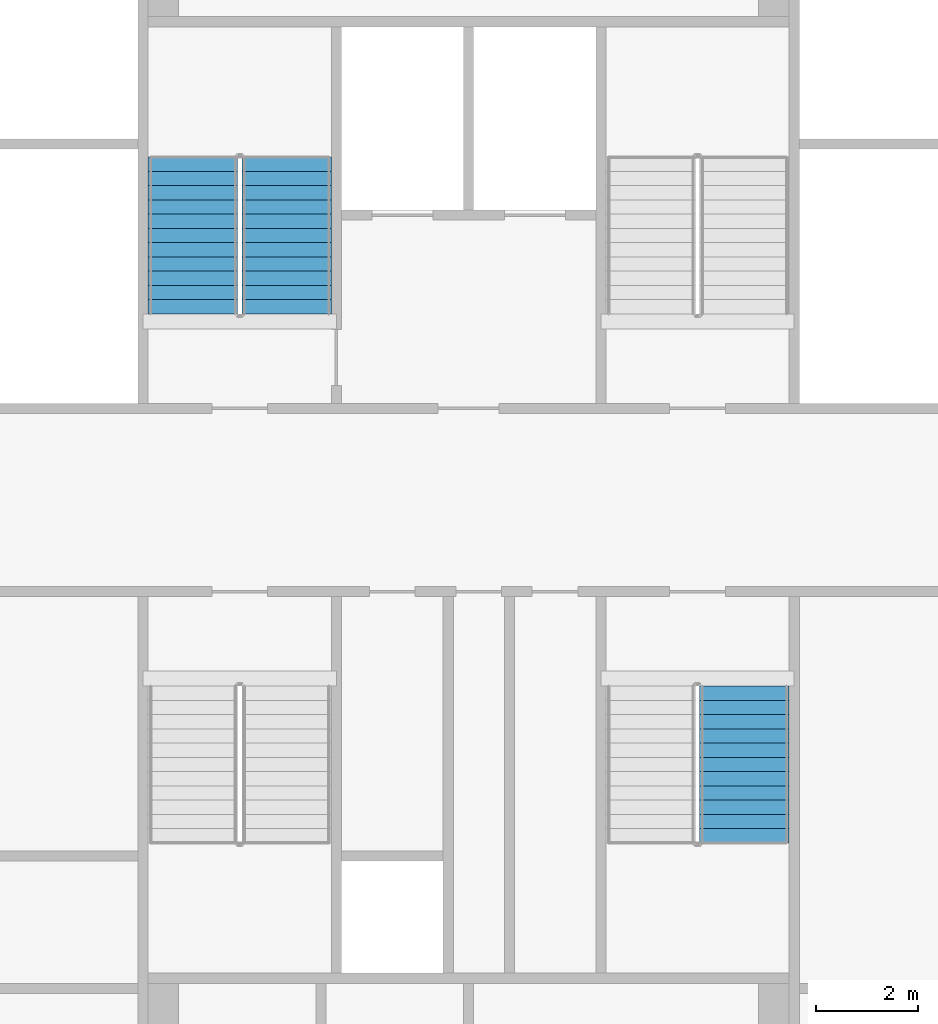
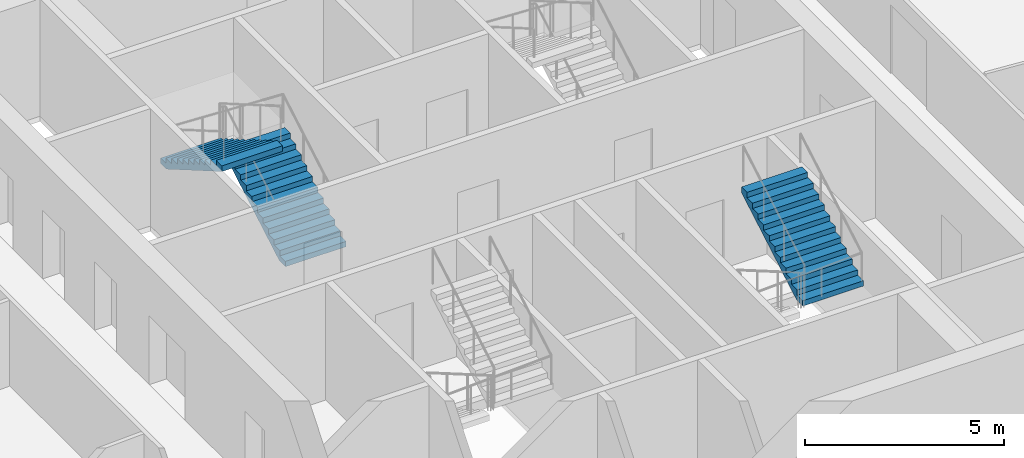
# One storey, part 9 of 11: 3 stair flights, 2 elements without a shape of their own.
"""IFC4 building model written with IfcOpenShell, lengths in metres."""

from ifc_helpers import new_model, si_unit, direction, frame, origin, place, context, subcontext, project, spatial, faceted_brep, material, type_object, element, aggregate, save


model = new_model("IFC4")

# Units and contexts
model_context = context("Model", 3, precision=1e-05, world=origin(), true_north=direction((0.0, 1.0)))
body_context = subcontext(model_context, "Body", "Model", "MODEL_VIEW")
ifc_project = project(units=[si_unit("LENGTHUNIT", "METRE"), si_unit("AREAUNIT", "SQUARE_METRE"), si_unit("VOLUMEUNIT", "CUBIC_METRE"), si_unit("PLANEANGLEUNIT", "RADIAN"), si_unit("MASSUNIT", "GRAM", prefix="KILO")], contexts=[model_context])

# Site, building, storey
site_placement = place(None, origin())
site = spatial("IfcSite", under=ifc_project, at=site_placement, CompositionType="ELEMENT")
building_placement = place(site_placement, origin())
building = spatial("IfcBuilding", under=site, at=building_placement, Name="Tarsis Ring Headquarters", CompositionType="ELEMENT")
storey_placement = place(building_placement, frame((0.0, 0.0, 298.10009765625)))
storey = spatial("IfcBuildingStorey", under=building, at=storey_placement, Name="L70", CompositionType="ELEMENT", Elevation=298.10009765625)

# Stair, stair flights
ifc_material_1 = material(Name="Core stair 1760")
stair_type = type_object("IfcStairType", Name="Core stair 1760", PredefinedType="HALF_TURN_STAIR", material=ifc_material_1)
stair_1_placement = place(storey_placement, origin())
stair_1 = element("IfcStair", 1, at=stair_1_placement, inside=storey, type_object=stair_type, Name="L70 Firefighting stair", PredefinedType="HALF_TURN_STAIR")
ifc_material_2 = material(Name="Concrete C40/50", Category="concrete")
stair_flight_type = type_object("IfcStairFlightType", Name="Core stair flight 1760", PredefinedType="STRAIGHT", material=ifc_material_2)
stair_flight_1_placement = place(storey_placement, frame((-3.580078125, 3.659912109375, 0.0), z_axis=(0.0, 0.0, 1.0), x_axis=(0.0, 1.0, 0.0)))
stair_flight_1 = element("IfcStairFlight", 2, at=stair_flight_1_placement, type_object=stair_flight_type, Name="Stair ST1 flight 1", NumberOfRisers=12, NumberOfTreads=11, PredefinedType="STRAIGHT", RiserHeight=0.1625, TreadLength=0.28, context=body_context, shape_type="Brep", body=[
    faceted_brep([(0.0, 0.8798828125, 0.0), (0.0, 0.8798828125, 0.16259765625), (0.280029296875, 0.8798828125, 0.16259765625), (0.280029296875, 0.8798828125, 0.324951171875), (0.56005859375, 0.8798828125, 0.324951171875), (0.56005859375, 0.8798828125, 0.487548828125), (0.840087890625, 0.8798828125, 0.487548828125), (0.840087890625, 0.8798828125, 0.64990234375), (1.1201171875, 0.8798828125, 0.64990234375), (1.1201171875, 0.8798828125, 0.8125), (1.39990234375, 0.8798828125, 0.8125), (1.39990234375, 0.8798828125, 0.97509765625), (1.679931640625, 0.8798828125, 0.97509765625), (1.679931640625, 0.8798828125, 1.137451171875), (1.9599609375, 0.8798828125, 1.137451171875), (1.9599609375, 0.8798828125, 1.300048828125), (2.239990234375, 0.8798828125, 1.300048828125), (2.239990234375, 0.8798828125, 1.46240234375), (2.52001953125, 0.8798828125, 1.46240234375), (2.52001953125, 0.8798828125, 1.625), (2.800048828125, 0.8798828125, 1.625), (2.800048828125, 0.8798828125, 1.78759765625), (3.080078125, 0.8798828125, 1.78759765625), (3.080078125, 0.8798828125, 1.6142578125), (0.298583984375, 0.8798828125, 0.0), (0.298583984375, -0.8798828125, 0.0), (3.080078125, -0.8798828125, 1.6142578125), (3.080078125, -0.8798828125, 1.78759765625), (2.800048828125, -0.8798828125, 1.78759765625), (2.800048828125, -0.8798828125, 1.625), (2.52001953125, -0.8798828125, 1.625), (2.52001953125, -0.8798828125, 1.46240234375), (2.239990234375, -0.8798828125, 1.46240234375), (2.239990234375, -0.8798828125, 1.300048828125), (1.9599609375, -0.8798828125, 1.300048828125), (1.9599609375, -0.8798828125, 1.137451171875), (1.679931640625, -0.8798828125, 1.137451171875), (1.679931640625, -0.8798828125, 0.97509765625), (1.39990234375, -0.8798828125, 0.97509765625), (1.39990234375, -0.8798828125, 0.8125), (1.1201171875, -0.8798828125, 0.8125), (1.1201171875, -0.8798828125, 0.64990234375), (0.840087890625, -0.8798828125, 0.64990234375), (0.840087890625, -0.8798828125, 0.487548828125), (0.56005859375, -0.8798828125, 0.487548828125), (0.56005859375, -0.8798828125, 0.324951171875), (0.280029296875, -0.8798828125, 0.324951171875), (0.280029296875, -0.8798828125, 0.16259765625), (0.0, -0.8798828125, 0.16259765625), (0.0, -0.8798828125, 0.0), (0.0, -0.43994140625, 0.16259765625), (0.0, -0.43994140625, 0.0), (0.0, 0.0, 0.16259765625), (0.0, 0.0, 0.0), (0.0, 0.43994140625, 0.16259765625), (0.0, 0.43994140625, 0.0), (0.280029296875, -0.43994140625, 0.16259765625), (0.280029296875, 0.0, 0.16259765625), (0.280029296875, 0.43994140625, 0.16259765625), (0.280029296875, -0.43994140625, 0.324951171875), (0.280029296875, 0.0, 0.324951171875), (0.280029296875, 0.43994140625, 0.324951171875), (0.56005859375, -0.43994140625, 0.324951171875), (0.56005859375, 0.0, 0.324951171875), (0.56005859375, 0.43994140625, 0.324951171875), (0.56005859375, -0.43994140625, 0.487548828125), (0.56005859375, 0.0, 0.487548828125), (0.56005859375, 0.43994140625, 0.487548828125), (0.840087890625, -0.43994140625, 0.487548828125), (0.840087890625, 0.0, 0.487548828125), (0.840087890625, 0.43994140625, 0.487548828125), (0.840087890625, -0.43994140625, 0.64990234375), (0.840087890625, 0.0, 0.64990234375), (0.840087890625, 0.43994140625, 0.64990234375), (1.1201171875, -0.43994140625, 0.64990234375), (1.1201171875, 0.0, 0.64990234375), (1.1201171875, 0.43994140625, 0.64990234375), (1.1201171875, -0.43994140625, 0.8125), (1.1201171875, 0.0, 0.8125), (1.1201171875, 0.43994140625, 0.8125), (1.39990234375, -0.43994140625, 0.8125), (1.39990234375, 0.0, 0.8125), (1.39990234375, 0.43994140625, 0.8125), (1.39990234375, -0.43994140625, 0.97509765625), (1.39990234375, 0.0, 0.97509765625), (1.39990234375, 0.43994140625, 0.97509765625), (1.679931640625, -0.43994140625, 0.97509765625), (1.679931640625, 0.0, 0.97509765625), (1.679931640625, 0.43994140625, 0.97509765625), (1.679931640625, -0.43994140625, 1.137451171875), (1.679931640625, 0.0, 1.137451171875), (1.679931640625, 0.43994140625, 1.137451171875), (1.9599609375, -0.43994140625, 1.137451171875), (1.9599609375, 0.0, 1.137451171875), (1.9599609375, 0.43994140625, 1.137451171875), (1.9599609375, -0.43994140625, 1.300048828125), (1.9599609375, 0.0, 1.300048828125), (1.9599609375, 0.43994140625, 1.300048828125), (2.239990234375, -0.43994140625, 1.300048828125), (2.239990234375, 0.0, 1.300048828125), (2.239990234375, 0.43994140625, 1.300048828125), (2.239990234375, -0.43994140625, 1.46240234375), (2.239990234375, 0.0, 1.46240234375), (2.239990234375, 0.43994140625, 1.46240234375), (2.52001953125, -0.43994140625, 1.46240234375), (2.52001953125, 0.0, 1.46240234375), (2.52001953125, 0.43994140625, 1.46240234375), (2.52001953125, -0.43994140625, 1.625), (2.52001953125, 0.0, 1.625), (2.52001953125, 0.43994140625, 1.625), (2.800048828125, -0.43994140625, 1.625), (2.800048828125, 0.0, 1.625), (2.800048828125, 0.43994140625, 1.625), (2.800048828125, -0.43994140625, 1.78759765625), (2.800048828125, 0.0, 1.78759765625), (2.800048828125, 0.43994140625, 1.78759765625), (3.080078125, -0.43994140625, 1.78759765625), (3.080078125, 0.0, 1.78759765625), (3.080078125, 0.43994140625, 1.78759765625), (3.080078125, -0.43994140625, 1.6142578125), (3.080078125, 0.0, 1.6142578125), (3.080078125, 0.43994140625, 1.6142578125), (0.298583984375, -0.43994140625, 0.0), (0.298583984375, 0.0, 0.0), (0.298583984375, 0.43994140625, 0.0)], [[[0, 1, 2, 3, 4, 5, 6, 7, 8, 9, 10, 11, 12, 13, 14, 15, 16, 17, 18, 19, 20, 21, 22, 23, 24]], [[25, 26, 27, 28, 29, 30, 31, 32, 33, 34, 35, 36, 37, 38, 39, 40, 41, 42, 43, 44, 45, 46, 47, 48, 49]], [[49, 48, 50, 51]], [[51, 50, 52, 53]], [[53, 52, 54, 55]], [[55, 54, 1, 0]], [[48, 47, 56, 50]], [[50, 56, 57, 52]], [[52, 57, 58, 54]], [[54, 58, 2, 1]], [[47, 46, 59, 56]], [[56, 59, 60, 57]], [[57, 60, 61, 58]], [[58, 61, 3, 2]], [[46, 45, 62, 59]], [[59, 62, 63, 60]], [[60, 63, 64, 61]], [[61, 64, 4, 3]], [[45, 44, 65, 62]], [[62, 65, 66, 63]], [[63, 66, 67, 64]], [[64, 67, 5, 4]], [[44, 43, 68, 65]], [[65, 68, 69, 66]], [[66, 69, 70, 67]], [[67, 70, 6, 5]], [[43, 42, 71, 68]], [[68, 71, 72, 69]], [[69, 72, 73, 70]], [[70, 73, 7, 6]], [[42, 41, 74, 71]], [[71, 74, 75, 72]], [[72, 75, 76, 73]], [[73, 76, 8, 7]], [[41, 40, 77, 74]], [[74, 77, 78, 75]], [[75, 78, 79, 76]], [[76, 79, 9, 8]], [[40, 39, 80, 77]], [[77, 80, 81, 78]], [[78, 81, 82, 79]], [[79, 82, 10, 9]], [[39, 38, 83, 80]], [[80, 83, 84, 81]], [[81, 84, 85, 82]], [[82, 85, 11, 10]], [[38, 37, 86, 83]], [[83, 86, 87, 84]], [[84, 87, 88, 85]], [[85, 88, 12, 11]], [[37, 36, 89, 86]], [[86, 89, 90, 87]], [[87, 90, 91, 88]], [[88, 91, 13, 12]], [[36, 35, 92, 89]], [[89, 92, 93, 90]], [[90, 93, 94, 91]], [[91, 94, 14, 13]], [[35, 34, 95, 92]], [[92, 95, 96, 93]], [[93, 96, 97, 94]], [[94, 97, 15, 14]], [[34, 33, 98, 95]], [[95, 98, 99, 96]], [[96, 99, 100, 97]], [[97, 100, 16, 15]], [[33, 32, 101, 98]], [[98, 101, 102, 99]], [[99, 102, 103, 100]], [[100, 103, 17, 16]], [[32, 31, 104, 101]], [[101, 104, 105, 102]], [[102, 105, 106, 103]], [[103, 106, 18, 17]], [[31, 30, 107, 104]], [[104, 107, 108, 105]], [[105, 108, 109, 106]], [[106, 109, 19, 18]], [[30, 29, 110, 107]], [[107, 110, 111, 108]], [[108, 111, 112, 109]], [[109, 112, 20, 19]], [[29, 28, 113, 110]], [[110, 113, 114, 111]], [[111, 114, 115, 112]], [[112, 115, 21, 20]], [[28, 27, 116, 113]], [[113, 116, 117, 114]], [[114, 117, 118, 115]], [[115, 118, 22, 21]], [[27, 26, 119, 116]], [[116, 119, 120, 117]], [[117, 120, 121, 118]], [[118, 121, 23, 22]], [[26, 25, 122, 119]], [[119, 122, 123, 120]], [[120, 123, 124, 121]], [[121, 124, 24, 23]], [[25, 49, 51, 122]], [[122, 51, 53, 123]], [[123, 53, 55, 124]], [[124, 55, 0, 24]]]),
])
stair_flight_2_placement = place(storey_placement, frame((-5.419921875, 6.739990234375, 1.949951171875), z_axis=(0.0, 0.0, 1.0), x_axis=(0.0, -1.0, 0.0)))
stair_flight_2 = element("IfcStairFlight", 3, at=stair_flight_2_placement, type_object=stair_flight_type, Name="Stair ST1 flight 2", NumberOfRisers=12, NumberOfTreads=11, PredefinedType="STRAIGHT", RiserHeight=0.1625, TreadLength=0.28, context=body_context, shape_type="Brep", body=[
    faceted_brep([(0.0, 0.8798828125, 0.0), (0.0, 0.8798828125, 0.16259765625), (0.280029296875, 0.8798828125, 0.16259765625), (0.280029296875, 0.8798828125, 0.324951171875), (0.56005859375, 0.8798828125, 0.324951171875), (0.56005859375, 0.8798828125, 0.487548828125), (0.840087890625, 0.8798828125, 0.487548828125), (0.840087890625, 0.8798828125, 0.64990234375), (1.1201171875, 0.8798828125, 0.64990234375), (1.1201171875, 0.8798828125, 0.8125), (1.39990234375, 0.8798828125, 0.8125), (1.39990234375, 0.8798828125, 0.97509765625), (1.679931640625, 0.8798828125, 0.97509765625), (1.679931640625, 0.8798828125, 1.137451171875), (1.9599609375, 0.8798828125, 1.137451171875), (1.9599609375, 0.8798828125, 1.300048828125), (2.239990234375, 0.8798828125, 1.300048828125), (2.239990234375, 0.8798828125, 1.46240234375), (2.52001953125, 0.8798828125, 1.46240234375), (2.52001953125, 0.8798828125, 1.625), (2.800048828125, 0.8798828125, 1.625), (2.800048828125, 0.8798828125, 1.78759765625), (3.080078125, 0.8798828125, 1.78759765625), (3.080078125, 0.8798828125, 1.6142578125), (0.298583984375, 0.8798828125, 0.0), (0.298583984375, -0.8798828125, 0.0), (3.080078125, -0.8798828125, 1.6142578125), (3.080078125, -0.8798828125, 1.78759765625), (2.800048828125, -0.8798828125, 1.78759765625), (2.800048828125, -0.8798828125, 1.625), (2.52001953125, -0.8798828125, 1.625), (2.52001953125, -0.8798828125, 1.46240234375), (2.239990234375, -0.8798828125, 1.46240234375), (2.239990234375, -0.8798828125, 1.300048828125), (1.9599609375, -0.8798828125, 1.300048828125), (1.9599609375, -0.8798828125, 1.137451171875), (1.679931640625, -0.8798828125, 1.137451171875), (1.679931640625, -0.8798828125, 0.97509765625), (1.39990234375, -0.8798828125, 0.97509765625), (1.39990234375, -0.8798828125, 0.8125), (1.1201171875, -0.8798828125, 0.8125), (1.1201171875, -0.8798828125, 0.64990234375), (0.840087890625, -0.8798828125, 0.64990234375), (0.840087890625, -0.8798828125, 0.487548828125), (0.56005859375, -0.8798828125, 0.487548828125), (0.56005859375, -0.8798828125, 0.324951171875), (0.280029296875, -0.8798828125, 0.324951171875), (0.280029296875, -0.8798828125, 0.16259765625), (0.0, -0.8798828125, 0.16259765625), (0.0, -0.8798828125, 0.0), (0.0, -0.43994140625, 0.16259765625), (0.0, -0.43994140625, 0.0), (0.0, 0.0, 0.16259765625), (0.0, 0.0, 0.0), (0.0, 0.43994140625, 0.16259765625), (0.0, 0.43994140625, 0.0), (0.280029296875, -0.43994140625, 0.16259765625), (0.280029296875, 0.0, 0.16259765625), (0.280029296875, 0.43994140625, 0.16259765625), (0.280029296875, -0.43994140625, 0.324951171875), (0.280029296875, 0.0, 0.324951171875), (0.280029296875, 0.43994140625, 0.324951171875), (0.56005859375, -0.43994140625, 0.324951171875), (0.56005859375, 0.0, 0.324951171875), (0.56005859375, 0.43994140625, 0.324951171875), (0.56005859375, -0.43994140625, 0.487548828125), (0.56005859375, 0.0, 0.487548828125), (0.56005859375, 0.43994140625, 0.487548828125), (0.840087890625, -0.43994140625, 0.487548828125), (0.840087890625, 0.0, 0.487548828125), (0.840087890625, 0.43994140625, 0.487548828125), (0.840087890625, -0.43994140625, 0.64990234375), (0.840087890625, 0.0, 0.64990234375), (0.840087890625, 0.43994140625, 0.64990234375), (1.1201171875, -0.43994140625, 0.64990234375), (1.1201171875, 0.0, 0.64990234375), (1.1201171875, 0.43994140625, 0.64990234375), (1.1201171875, -0.43994140625, 0.8125), (1.1201171875, 0.0, 0.8125), (1.1201171875, 0.43994140625, 0.8125), (1.39990234375, -0.43994140625, 0.8125), (1.39990234375, 0.0, 0.8125), (1.39990234375, 0.43994140625, 0.8125), (1.39990234375, -0.43994140625, 0.97509765625), (1.39990234375, 0.0, 0.97509765625), (1.39990234375, 0.43994140625, 0.97509765625), (1.679931640625, -0.43994140625, 0.97509765625), (1.679931640625, 0.0, 0.97509765625), (1.679931640625, 0.43994140625, 0.97509765625), (1.679931640625, -0.43994140625, 1.137451171875), (1.679931640625, 0.0, 1.137451171875), (1.679931640625, 0.43994140625, 1.137451171875), (1.9599609375, -0.43994140625, 1.137451171875), (1.9599609375, 0.0, 1.137451171875), (1.9599609375, 0.43994140625, 1.137451171875), (1.9599609375, -0.43994140625, 1.300048828125), (1.9599609375, 0.0, 1.300048828125), (1.9599609375, 0.43994140625, 1.300048828125), (2.239990234375, -0.43994140625, 1.300048828125), (2.239990234375, 0.0, 1.300048828125), (2.239990234375, 0.43994140625, 1.300048828125), (2.239990234375, -0.43994140625, 1.46240234375), (2.239990234375, 0.0, 1.46240234375), (2.239990234375, 0.43994140625, 1.46240234375), (2.52001953125, -0.43994140625, 1.46240234375), (2.52001953125, 0.0, 1.46240234375), (2.52001953125, 0.43994140625, 1.46240234375), (2.52001953125, -0.43994140625, 1.625), (2.52001953125, 0.0, 1.625), (2.52001953125, 0.43994140625, 1.625), (2.800048828125, -0.43994140625, 1.625), (2.800048828125, 0.0, 1.625), (2.800048828125, 0.43994140625, 1.625), (2.800048828125, -0.43994140625, 1.78759765625), (2.800048828125, 0.0, 1.78759765625), (2.800048828125, 0.43994140625, 1.78759765625), (3.080078125, -0.43994140625, 1.78759765625), (3.080078125, 0.0, 1.78759765625), (3.080078125, 0.43994140625, 1.78759765625), (3.080078125, -0.43994140625, 1.6142578125), (3.080078125, 0.0, 1.6142578125), (3.080078125, 0.43994140625, 1.6142578125), (0.298583984375, -0.43994140625, 0.0), (0.298583984375, 0.0, 0.0), (0.298583984375, 0.43994140625, 0.0)], [[[0, 1, 2, 3, 4, 5, 6, 7, 8, 9, 10, 11, 12, 13, 14, 15, 16, 17, 18, 19, 20, 21, 22, 23, 24]], [[25, 26, 27, 28, 29, 30, 31, 32, 33, 34, 35, 36, 37, 38, 39, 40, 41, 42, 43, 44, 45, 46, 47, 48, 49]], [[49, 48, 50, 51]], [[51, 50, 52, 53]], [[53, 52, 54, 55]], [[55, 54, 1, 0]], [[48, 47, 56, 50]], [[50, 56, 57, 52]], [[52, 57, 58, 54]], [[54, 58, 2, 1]], [[47, 46, 59, 56]], [[56, 59, 60, 57]], [[57, 60, 61, 58]], [[58, 61, 3, 2]], [[46, 45, 62, 59]], [[59, 62, 63, 60]], [[60, 63, 64, 61]], [[61, 64, 4, 3]], [[45, 44, 65, 62]], [[62, 65, 66, 63]], [[63, 66, 67, 64]], [[64, 67, 5, 4]], [[44, 43, 68, 65]], [[65, 68, 69, 66]], [[66, 69, 70, 67]], [[67, 70, 6, 5]], [[43, 42, 71, 68]], [[68, 71, 72, 69]], [[69, 72, 73, 70]], [[70, 73, 7, 6]], [[42, 41, 74, 71]], [[71, 74, 75, 72]], [[72, 75, 76, 73]], [[73, 76, 8, 7]], [[41, 40, 77, 74]], [[74, 77, 78, 75]], [[75, 78, 79, 76]], [[76, 79, 9, 8]], [[40, 39, 80, 77]], [[77, 80, 81, 78]], [[78, 81, 82, 79]], [[79, 82, 10, 9]], [[39, 38, 83, 80]], [[80, 83, 84, 81]], [[81, 84, 85, 82]], [[82, 85, 11, 10]], [[38, 37, 86, 83]], [[83, 86, 87, 84]], [[84, 87, 88, 85]], [[85, 88, 12, 11]], [[37, 36, 89, 86]], [[86, 89, 90, 87]], [[87, 90, 91, 88]], [[88, 91, 13, 12]], [[36, 35, 92, 89]], [[89, 92, 93, 90]], [[90, 93, 94, 91]], [[91, 94, 14, 13]], [[35, 34, 95, 92]], [[92, 95, 96, 93]], [[93, 96, 97, 94]], [[94, 97, 15, 14]], [[34, 33, 98, 95]], [[95, 98, 99, 96]], [[96, 99, 100, 97]], [[97, 100, 16, 15]], [[33, 32, 101, 98]], [[98, 101, 102, 99]], [[99, 102, 103, 100]], [[100, 103, 17, 16]], [[32, 31, 104, 101]], [[101, 104, 105, 102]], [[102, 105, 106, 103]], [[103, 106, 18, 17]], [[31, 30, 107, 104]], [[104, 107, 108, 105]], [[105, 108, 109, 106]], [[106, 109, 19, 18]], [[30, 29, 110, 107]], [[107, 110, 111, 108]], [[108, 111, 112, 109]], [[109, 112, 20, 19]], [[29, 28, 113, 110]], [[110, 113, 114, 111]], [[111, 114, 115, 112]], [[112, 115, 21, 20]], [[28, 27, 116, 113]], [[113, 116, 117, 114]], [[114, 117, 118, 115]], [[115, 118, 22, 21]], [[27, 26, 119, 116]], [[116, 119, 120, 117]], [[117, 120, 121, 118]], [[118, 121, 23, 22]], [[26, 25, 122, 119]], [[119, 122, 123, 120]], [[120, 123, 124, 121]], [[121, 124, 24, 23]], [[25, 49, 51, 122]], [[122, 51, 53, 123]], [[123, 53, 55, 124]], [[124, 55, 0, 24]]]),
])
aggregate(stair_1, [stair_flight_1, stair_flight_2])

# Stair, stair flight
stair_2_placement = place(storey_placement, origin())
stair_2 = element("IfcStair", 4, at=stair_2_placement, inside=storey, type_object=stair_type, Name="L70 Exit stair D", PredefinedType="HALF_TURN_STAIR")
stair_flight_3_placement = place(storey_placement, frame((5.419921875, -6.739990234375, 1.949951171875), z_axis=(0.0, 0.0, 1.0), x_axis=(0.0, 1.0, 0.0)))
stair_flight_3 = element("IfcStairFlight", 5, at=stair_flight_3_placement, type_object=stair_flight_type, Name="Stair ST4 flight 2", NumberOfRisers=12, NumberOfTreads=11, PredefinedType="STRAIGHT", RiserHeight=0.1625, TreadLength=0.28, context=body_context, shape_type="Brep", body=[
    faceted_brep([(0.0, 0.8798828125, 0.0), (0.0, 0.8798828125, 0.16259765625), (0.280029296875, 0.8798828125, 0.16259765625), (0.280029296875, 0.8798828125, 0.324951171875), (0.56005859375, 0.8798828125, 0.324951171875), (0.56005859375, 0.8798828125, 0.487548828125), (0.840087890625, 0.8798828125, 0.487548828125), (0.840087890625, 0.8798828125, 0.64990234375), (1.1201171875, 0.8798828125, 0.64990234375), (1.1201171875, 0.8798828125, 0.8125), (1.39990234375, 0.8798828125, 0.8125), (1.39990234375, 0.8798828125, 0.97509765625), (1.679931640625, 0.8798828125, 0.97509765625), (1.679931640625, 0.8798828125, 1.137451171875), (1.9599609375, 0.8798828125, 1.137451171875), (1.9599609375, 0.8798828125, 1.300048828125), (2.239990234375, 0.8798828125, 1.300048828125), (2.239990234375, 0.8798828125, 1.46240234375), (2.52001953125, 0.8798828125, 1.46240234375), (2.52001953125, 0.8798828125, 1.625), (2.800048828125, 0.8798828125, 1.625), (2.800048828125, 0.8798828125, 1.78759765625), (3.080078125, 0.8798828125, 1.78759765625), (3.080078125, 0.8798828125, 1.6142578125), (0.298583984375, 0.8798828125, 0.0), (0.298583984375, -0.8798828125, 0.0), (3.080078125, -0.8798828125, 1.6142578125), (3.080078125, -0.8798828125, 1.78759765625), (2.800048828125, -0.8798828125, 1.78759765625), (2.800048828125, -0.8798828125, 1.625), (2.52001953125, -0.8798828125, 1.625), (2.52001953125, -0.8798828125, 1.46240234375), (2.239990234375, -0.8798828125, 1.46240234375), (2.239990234375, -0.8798828125, 1.300048828125), (1.9599609375, -0.8798828125, 1.300048828125), (1.9599609375, -0.8798828125, 1.137451171875), (1.679931640625, -0.8798828125, 1.137451171875), (1.679931640625, -0.8798828125, 0.97509765625), (1.39990234375, -0.8798828125, 0.97509765625), (1.39990234375, -0.8798828125, 0.8125), (1.1201171875, -0.8798828125, 0.8125), (1.1201171875, -0.8798828125, 0.64990234375), (0.840087890625, -0.8798828125, 0.64990234375), (0.840087890625, -0.8798828125, 0.487548828125), (0.56005859375, -0.8798828125, 0.487548828125), (0.56005859375, -0.8798828125, 0.324951171875), (0.280029296875, -0.8798828125, 0.324951171875), (0.280029296875, -0.8798828125, 0.16259765625), (0.0, -0.8798828125, 0.16259765625), (0.0, -0.8798828125, 0.0), (0.0, -0.43994140625, 0.16259765625), (0.0, -0.43994140625, 0.0), (0.0, 0.0, 0.16259765625), (0.0, 0.0, 0.0), (0.0, 0.43994140625, 0.16259765625), (0.0, 0.43994140625, 0.0), (0.280029296875, -0.43994140625, 0.16259765625), (0.280029296875, 0.0, 0.16259765625), (0.280029296875, 0.43994140625, 0.16259765625), (0.280029296875, -0.43994140625, 0.324951171875), (0.280029296875, 0.0, 0.324951171875), (0.280029296875, 0.43994140625, 0.324951171875), (0.56005859375, -0.43994140625, 0.324951171875), (0.56005859375, 0.0, 0.324951171875), (0.56005859375, 0.43994140625, 0.324951171875), (0.56005859375, -0.43994140625, 0.487548828125), (0.56005859375, 0.0, 0.487548828125), (0.56005859375, 0.43994140625, 0.487548828125), (0.840087890625, -0.43994140625, 0.487548828125), (0.840087890625, 0.0, 0.487548828125), (0.840087890625, 0.43994140625, 0.487548828125), (0.840087890625, -0.43994140625, 0.64990234375), (0.840087890625, 0.0, 0.64990234375), (0.840087890625, 0.43994140625, 0.64990234375), (1.1201171875, -0.43994140625, 0.64990234375), (1.1201171875, 0.0, 0.64990234375), (1.1201171875, 0.43994140625, 0.64990234375), (1.1201171875, -0.43994140625, 0.8125), (1.1201171875, 0.0, 0.8125), (1.1201171875, 0.43994140625, 0.8125), (1.39990234375, -0.43994140625, 0.8125), (1.39990234375, 0.0, 0.8125), (1.39990234375, 0.43994140625, 0.8125), (1.39990234375, -0.43994140625, 0.97509765625), (1.39990234375, 0.0, 0.97509765625), (1.39990234375, 0.43994140625, 0.97509765625), (1.679931640625, -0.43994140625, 0.97509765625), (1.679931640625, 0.0, 0.97509765625), (1.679931640625, 0.43994140625, 0.97509765625), (1.679931640625, -0.43994140625, 1.137451171875), (1.679931640625, 0.0, 1.137451171875), (1.679931640625, 0.43994140625, 1.137451171875), (1.9599609375, -0.43994140625, 1.137451171875), (1.9599609375, 0.0, 1.137451171875), (1.9599609375, 0.43994140625, 1.137451171875), (1.9599609375, -0.43994140625, 1.300048828125), (1.9599609375, 0.0, 1.300048828125), (1.9599609375, 0.43994140625, 1.300048828125), (2.239990234375, -0.43994140625, 1.300048828125), (2.239990234375, 0.0, 1.300048828125), (2.239990234375, 0.43994140625, 1.300048828125), (2.239990234375, -0.43994140625, 1.46240234375), (2.239990234375, 0.0, 1.46240234375), (2.239990234375, 0.43994140625, 1.46240234375), (2.52001953125, -0.43994140625, 1.46240234375), (2.52001953125, 0.0, 1.46240234375), (2.52001953125, 0.43994140625, 1.46240234375), (2.52001953125, -0.43994140625, 1.625), (2.52001953125, 0.0, 1.625), (2.52001953125, 0.43994140625, 1.625), (2.800048828125, -0.43994140625, 1.625), (2.800048828125, 0.0, 1.625), (2.800048828125, 0.43994140625, 1.625), (2.800048828125, -0.43994140625, 1.78759765625), (2.800048828125, 0.0, 1.78759765625), (2.800048828125, 0.43994140625, 1.78759765625), (3.080078125, -0.43994140625, 1.78759765625), (3.080078125, 0.0, 1.78759765625), (3.080078125, 0.43994140625, 1.78759765625), (3.080078125, -0.43994140625, 1.6142578125), (3.080078125, 0.0, 1.6142578125), (3.080078125, 0.43994140625, 1.6142578125), (0.298583984375, -0.43994140625, 0.0), (0.298583984375, 0.0, 0.0), (0.298583984375, 0.43994140625, 0.0)], [[[0, 1, 2, 3, 4, 5, 6, 7, 8, 9, 10, 11, 12, 13, 14, 15, 16, 17, 18, 19, 20, 21, 22, 23, 24]], [[25, 26, 27, 28, 29, 30, 31, 32, 33, 34, 35, 36, 37, 38, 39, 40, 41, 42, 43, 44, 45, 46, 47, 48, 49]], [[49, 48, 50, 51]], [[51, 50, 52, 53]], [[53, 52, 54, 55]], [[55, 54, 1, 0]], [[48, 47, 56, 50]], [[50, 56, 57, 52]], [[52, 57, 58, 54]], [[54, 58, 2, 1]], [[47, 46, 59, 56]], [[56, 59, 60, 57]], [[57, 60, 61, 58]], [[58, 61, 3, 2]], [[46, 45, 62, 59]], [[59, 62, 63, 60]], [[60, 63, 64, 61]], [[61, 64, 4, 3]], [[45, 44, 65, 62]], [[62, 65, 66, 63]], [[63, 66, 67, 64]], [[64, 67, 5, 4]], [[44, 43, 68, 65]], [[65, 68, 69, 66]], [[66, 69, 70, 67]], [[67, 70, 6, 5]], [[43, 42, 71, 68]], [[68, 71, 72, 69]], [[69, 72, 73, 70]], [[70, 73, 7, 6]], [[42, 41, 74, 71]], [[71, 74, 75, 72]], [[72, 75, 76, 73]], [[73, 76, 8, 7]], [[41, 40, 77, 74]], [[74, 77, 78, 75]], [[75, 78, 79, 76]], [[76, 79, 9, 8]], [[40, 39, 80, 77]], [[77, 80, 81, 78]], [[78, 81, 82, 79]], [[79, 82, 10, 9]], [[39, 38, 83, 80]], [[80, 83, 84, 81]], [[81, 84, 85, 82]], [[82, 85, 11, 10]], [[38, 37, 86, 83]], [[83, 86, 87, 84]], [[84, 87, 88, 85]], [[85, 88, 12, 11]], [[37, 36, 89, 86]], [[86, 89, 90, 87]], [[87, 90, 91, 88]], [[88, 91, 13, 12]], [[36, 35, 92, 89]], [[89, 92, 93, 90]], [[90, 93, 94, 91]], [[91, 94, 14, 13]], [[35, 34, 95, 92]], [[92, 95, 96, 93]], [[93, 96, 97, 94]], [[94, 97, 15, 14]], [[34, 33, 98, 95]], [[95, 98, 99, 96]], [[96, 99, 100, 97]], [[97, 100, 16, 15]], [[33, 32, 101, 98]], [[98, 101, 102, 99]], [[99, 102, 103, 100]], [[100, 103, 17, 16]], [[32, 31, 104, 101]], [[101, 104, 105, 102]], [[102, 105, 106, 103]], [[103, 106, 18, 17]], [[31, 30, 107, 104]], [[104, 107, 108, 105]], [[105, 108, 109, 106]], [[106, 109, 19, 18]], [[30, 29, 110, 107]], [[107, 110, 111, 108]], [[108, 111, 112, 109]], [[109, 112, 20, 19]], [[29, 28, 113, 110]], [[110, 113, 114, 111]], [[111, 114, 115, 112]], [[112, 115, 21, 20]], [[28, 27, 116, 113]], [[113, 116, 117, 114]], [[114, 117, 118, 115]], [[115, 118, 22, 21]], [[27, 26, 119, 116]], [[116, 119, 120, 117]], [[117, 120, 121, 118]], [[118, 121, 23, 22]], [[26, 25, 122, 119]], [[119, 122, 123, 120]], [[120, 123, 124, 121]], [[121, 124, 24, 23]], [[25, 49, 51, 122]], [[122, 51, 53, 123]], [[123, 53, 55, 124]], [[124, 55, 0, 24]]]),
])
aggregate(stair_2, [stair_flight_3])

save(model, "model.ifc")
